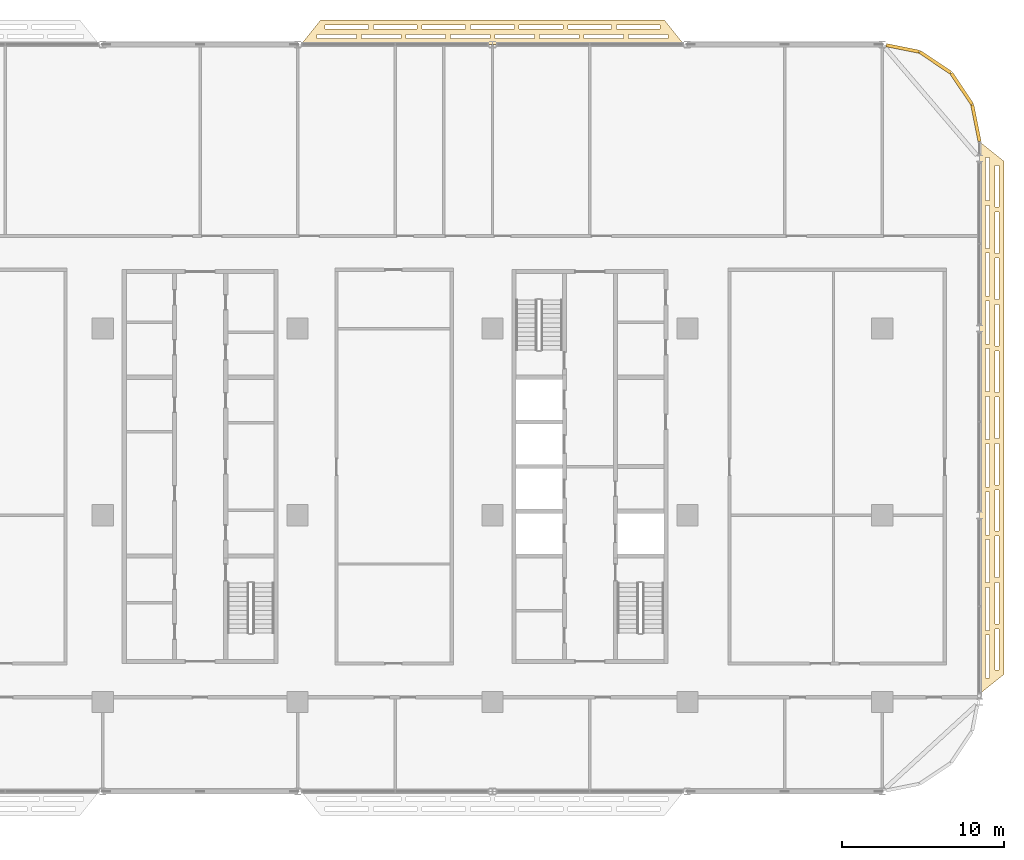
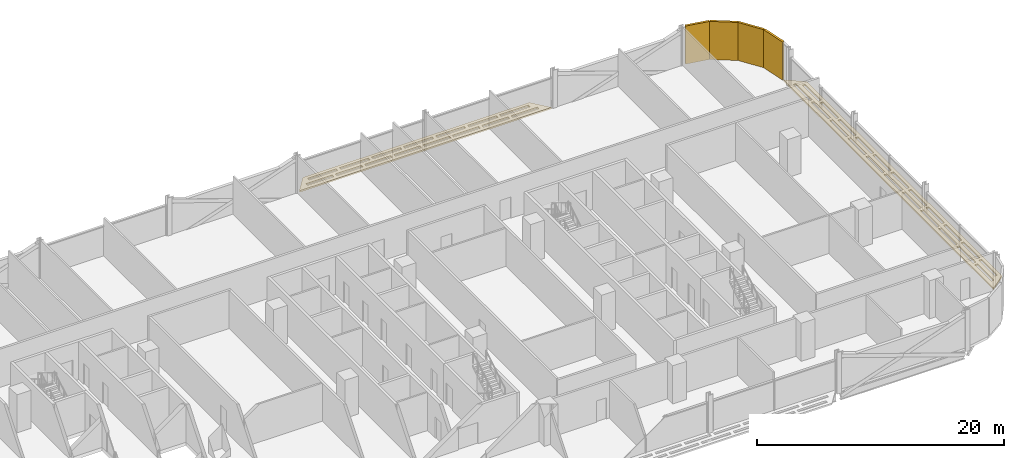
# One storey, part 28 of 28: 6 coverings.
"""IFC4 building model written with IfcOpenShell, lengths in metres."""

from ifc_helpers import new_model, si_unit, direction, frame, origin, origin_2d, place, context, subcontext, project, spatial, polyline, rectangle, outline, extrude, material, layer, layer_set, type_object, element, save


model = new_model("IFC4")

# Units and contexts
model_context = context("Model", 3, precision=1e-05, world=origin(), true_north=direction((0.0, 1.0)))
body_context = subcontext(model_context, "Body", "Model", "MODEL_VIEW")
ifc_project = project(units=[si_unit("LENGTHUNIT", "METRE"), si_unit("AREAUNIT", "SQUARE_METRE"), si_unit("VOLUMEUNIT", "CUBIC_METRE"), si_unit("PLANEANGLEUNIT", "RADIAN"), si_unit("MASSUNIT", "GRAM", prefix="KILO")], contexts=[model_context])

# Site, building, storey
site_placement = place(None, origin())
site = spatial("IfcSite", under=ifc_project, at=site_placement, CompositionType="ELEMENT")
building_placement = place(site_placement, origin())
building = spatial("IfcBuilding", under=site, at=building_placement, Name="Mahtab Terrace Research Tower", CompositionType="ELEMENT")
storey_placement = place(building_placement, frame((0.0, 0.0, 134.300048828125)))
storey = spatial("IfcBuildingStorey", under=building, at=storey_placement, Name="L31", CompositionType="ELEMENT", Elevation=134.300048828125)

# Coverings
ifc_material_1 = material(Name="Black aluminium cladding panel", Category="aluminium")
ifc_layer_1 = layer(ifc_material_1, 0.199951171875)
ifc_layer_set_1 = layer_set([ifc_layer_1], Name="Black metal corner cladding 200")
covering_type_1 = type_object("IfcCoveringType", Name="Black metal corner cladding 200", PredefinedType="CLADDING", material=ifc_layer_set_1)
for number, where, z_axis, x_axis, name in (
    (1, (46.89306640625, 26.26953125, 0.0), (0.0, 0.0, 1.0), (-0.555291490808, 0.831655794326, 0.0), "Corner cladding L31 0"),
    (2, (45.26953125, 27.89306640625, 0.0), (0.0, 0.0, 1.0), (-0.831655794326, 0.555291490808, 0.0), "Corner cladding L31 1"),
):
    element("IfcCovering", number, at=place(storey_placement, frame(where, z_axis=z_axis, x_axis=x_axis)), inside=storey, type_object=covering_type_1, Name=name, PredefinedType="CLADDING", context=body_context, shape_type="SweptSolid", body=[
        extrude(rectangle(XDim=2.30126953125, YDim=0.199951171875, at=origin_2d()), origin(), (0.0, 0.0, 1.0), 3.760009765625),
    ])
covering_1_placement = place(storey_placement, frame((43.263916015625, 28.74853515625, 0.0), z_axis=(0.0, 0.0, 1.0), x_axis=(-0.980760981187, 0.195212442692, 0.0)))
element("IfcCovering", 3, at=covering_1_placement, inside=storey, type_object=covering_type_1, Name="Corner cladding L31 2", PredefinedType="CLADDING", context=body_context, shape_type="SweptSolid", body=[
    extrude(rectangle(XDim=2.064697265625, YDim=0.199951171875, at=origin_2d()), origin(), (0.0, 0.0, 1.0), 3.760009765625),
])
covering_2_placement = place(storey_placement, frame((47.771484375, 24.14794921875, 0.0), z_axis=(0.0, 0.0, 1.0), x_axis=(-0.195212442692, 0.980760981187, 0.0)))
element("IfcCovering", 4, at=covering_2_placement, inside=storey, type_object=covering_type_1, Name="Corner cladding L31 40", PredefinedType="CLADDING", context=body_context, shape_type="SweptSolid", body=[
    extrude(rectangle(XDim=2.30126953125, YDim=0.199951171875, at=origin_2d()), origin(), (0.0, 0.0, 1.0), 3.760009765625),
])
ifc_material_2 = material(Name="Black anodised aluminium", Category="aluminium")
ifc_layer_2 = layer(ifc_material_2, 0.14990234375)
ifc_layer_set_2 = layer_set([ifc_layer_2], Name="Horizontal sunshade band")
covering_type_2 = type_object("IfcCoveringType", Name="Horizontal sunshade band", PredefinedType="CLADDING", material=ifc_layer_set_2)
covering_3_placement = place(storey_placement, frame((0.0, 0.0, -0.150146484375)))
element("IfcCovering", 5, at=covering_3_placement, inside=storey, type_object=covering_type_2, Name="Sunshade band L31 4", PredefinedType="CLADDING", context=body_context, shape_type="SweptSolid", body=[
    extrude(outline(polyline([(29.781982421875, 29.0), (6.218017578125, 29.0), (7.41796875, 30.5), (28.58203125, 30.5), (29.781982421875, 29.0)]), holes=[polyline([(28.802001953125, 29.35009765625), (26.364013671875, 29.35009765625), (26.364013671875, 29.60009765625), (28.802001953125, 29.60009765625), (28.802001953125, 29.35009765625)]), polyline([(26.06396484375, 29.35009765625), (23.6259765625, 29.35009765625), (23.6259765625, 29.60009765625), (26.06396484375, 29.60009765625), (26.06396484375, 29.35009765625)]), polyline([(23.325927734375, 29.35009765625), (20.887939453125, 29.35009765625), (20.887939453125, 29.60009765625), (23.325927734375, 29.60009765625), (23.325927734375, 29.35009765625)]), polyline([(20.587890625, 29.35009765625), (18.14990234375, 29.35009765625), (18.14990234375, 29.60009765625), (20.587890625, 29.60009765625), (20.587890625, 29.35009765625)]), polyline([(17.85009765625, 29.35009765625), (15.412109375, 29.35009765625), (15.412109375, 29.60009765625), (17.85009765625, 29.60009765625), (17.85009765625, 29.35009765625)]), polyline([(15.112060546875, 29.35009765625), (12.674072265625, 29.35009765625), (12.674072265625, 29.60009765625), (15.112060546875, 29.60009765625), (15.112060546875, 29.35009765625)]), polyline([(12.3740234375, 29.35009765625), (9.93603515625, 29.35009765625), (9.93603515625, 29.60009765625), (12.3740234375, 29.60009765625), (12.3740234375, 29.35009765625)]), polyline([(9.635986328125, 29.35009765625), (7.197998046875, 29.35009765625), (7.197998046875, 29.60009765625), (9.635986328125, 29.60009765625), (9.635986328125, 29.35009765625)]), polyline([(28.322021484375, 29.949951171875), (25.6298828125, 29.949951171875), (25.6298828125, 30.199951171875), (28.322021484375, 30.199951171875), (28.322021484375, 29.949951171875)]), polyline([(25.330078125, 29.949951171875), (22.637939453125, 29.949951171875), (22.637939453125, 30.199951171875), (25.330078125, 30.199951171875), (25.330078125, 29.949951171875)]), polyline([(22.337890625, 29.949951171875), (19.64599609375, 29.949951171875), (19.64599609375, 30.199951171875), (22.337890625, 30.199951171875), (22.337890625, 29.949951171875)]), polyline([(19.345947265625, 29.949951171875), (16.654052734375, 29.949951171875), (16.654052734375, 30.199951171875), (19.345947265625, 30.199951171875), (19.345947265625, 29.949951171875)]), polyline([(16.35400390625, 29.949951171875), (13.662109375, 29.949951171875), (13.662109375, 30.199951171875), (16.35400390625, 30.199951171875), (16.35400390625, 29.949951171875)]), polyline([(13.362060546875, 29.949951171875), (10.669921875, 29.949951171875), (10.669921875, 30.199951171875), (13.362060546875, 30.199951171875), (13.362060546875, 29.949951171875)]), polyline([(10.3701171875, 29.949951171875), (7.677978515625, 29.949951171875), (7.677978515625, 30.199951171875), (10.3701171875, 30.199951171875), (10.3701171875, 29.949951171875)])]), origin(), (0.0, 0.0, 1.0), 0.150146484375),
])
covering_4_placement = place(storey_placement, frame((0.0, 0.0, -0.150146484375)))
element("IfcCovering", 6, at=covering_4_placement, inside=storey, type_object=covering_type_2, Name="Sunshade band L31 36", PredefinedType="CLADDING", context=body_context, shape_type="SweptSolid", body=[
    extrude(outline(polyline([(48.0, -11.0), (48.0, 23.0), (49.5, 21.800048828125), (49.5, -9.800048828125), (48.0, -11.0)]), holes=[polyline([(48.35009765625, -10.02001953125), (48.35009765625, -7.3798828125), (48.60009765625, -7.3798828125), (48.60009765625, -10.02001953125), (48.35009765625, -10.02001953125)]), polyline([(48.35009765625, -7.080078125), (48.35009765625, -4.43994140625), (48.60009765625, -4.43994140625), (48.60009765625, -7.080078125), (48.35009765625, -7.080078125)]), polyline([(48.35009765625, -4.139892578125), (48.35009765625, -1.5), (48.60009765625, -1.5), (48.60009765625, -4.139892578125), (48.35009765625, -4.139892578125)]), polyline([(48.35009765625, -1.199951171875), (48.35009765625, 1.43994140625), (48.60009765625, 1.43994140625), (48.60009765625, -1.199951171875), (48.35009765625, -1.199951171875)]), polyline([(48.35009765625, 1.739990234375), (48.35009765625, 4.3798828125), (48.60009765625, 4.3798828125), (48.60009765625, 1.739990234375), (48.35009765625, 1.739990234375)]), polyline([(48.35009765625, 4.679931640625), (48.35009765625, 7.320068359375), (48.60009765625, 7.320068359375), (48.60009765625, 4.679931640625), (48.35009765625, 4.679931640625)]), polyline([(48.35009765625, 7.6201171875), (48.35009765625, 10.260009765625), (48.60009765625, 10.260009765625), (48.60009765625, 7.6201171875), (48.35009765625, 7.6201171875)]), polyline([(48.35009765625, 10.56005859375), (48.35009765625, 13.199951171875), (48.60009765625, 13.199951171875), (48.60009765625, 10.56005859375), (48.35009765625, 10.56005859375)]), polyline([(48.35009765625, 13.5), (48.35009765625, 16.139892578125), (48.60009765625, 16.139892578125), (48.60009765625, 13.5), (48.35009765625, 13.5)]), polyline([(48.35009765625, 16.43994140625), (48.35009765625, 19.080078125), (48.60009765625, 19.080078125), (48.60009765625, 16.43994140625), (48.35009765625, 16.43994140625)]), polyline([(48.35009765625, 19.3798828125), (48.35009765625, 22.02001953125), (48.60009765625, 22.02001953125), (48.60009765625, 19.3798828125), (48.35009765625, 19.3798828125)]), polyline([(48.949951171875, -9.5400390625), (48.949951171875, -6.987060546875), (49.199951171875, -6.987060546875), (49.199951171875, -9.5400390625), (48.949951171875, -9.5400390625)]), polyline([(48.949951171875, -6.68701171875), (48.949951171875, -4.135009765625), (49.199951171875, -4.135009765625), (49.199951171875, -6.68701171875), (48.949951171875, -6.68701171875)]), polyline([(48.949951171875, -3.8349609375), (48.949951171875, -1.281982421875), (49.199951171875, -1.281982421875), (49.199951171875, -3.8349609375), (48.949951171875, -3.8349609375)]), polyline([(48.949951171875, -0.98193359375), (48.949951171875, 1.571044921875), (49.199951171875, 1.571044921875), (49.199951171875, -0.98193359375), (48.949951171875, -0.98193359375)]), polyline([(48.949951171875, 1.87109375), (48.949951171875, 4.424072265625), (49.199951171875, 4.424072265625), (49.199951171875, 1.87109375), (48.949951171875, 1.87109375)]), polyline([(48.949951171875, 4.72412109375), (48.949951171875, 7.27587890625), (49.199951171875, 7.27587890625), (49.199951171875, 4.72412109375), (48.949951171875, 4.72412109375)]), polyline([(48.949951171875, 7.575927734375), (48.949951171875, 10.12890625), (49.199951171875, 10.12890625), (49.199951171875, 7.575927734375), (48.949951171875, 7.575927734375)]), polyline([(48.949951171875, 10.428955078125), (48.949951171875, 12.98193359375), (49.199951171875, 12.98193359375), (49.199951171875, 10.428955078125), (48.949951171875, 10.428955078125)]), polyline([(48.949951171875, 13.281982421875), (48.949951171875, 15.8349609375), (49.199951171875, 15.8349609375), (49.199951171875, 13.281982421875), (48.949951171875, 13.281982421875)]), polyline([(48.949951171875, 16.135009765625), (48.949951171875, 18.68701171875), (49.199951171875, 18.68701171875), (49.199951171875, 16.135009765625), (48.949951171875, 16.135009765625)]), polyline([(48.949951171875, 18.987060546875), (48.949951171875, 21.5400390625), (49.199951171875, 21.5400390625), (49.199951171875, 18.987060546875), (48.949951171875, 18.987060546875)])]), origin(), (0.0, 0.0, 1.0), 0.150146484375),
])

save(model, "model.ifc")
